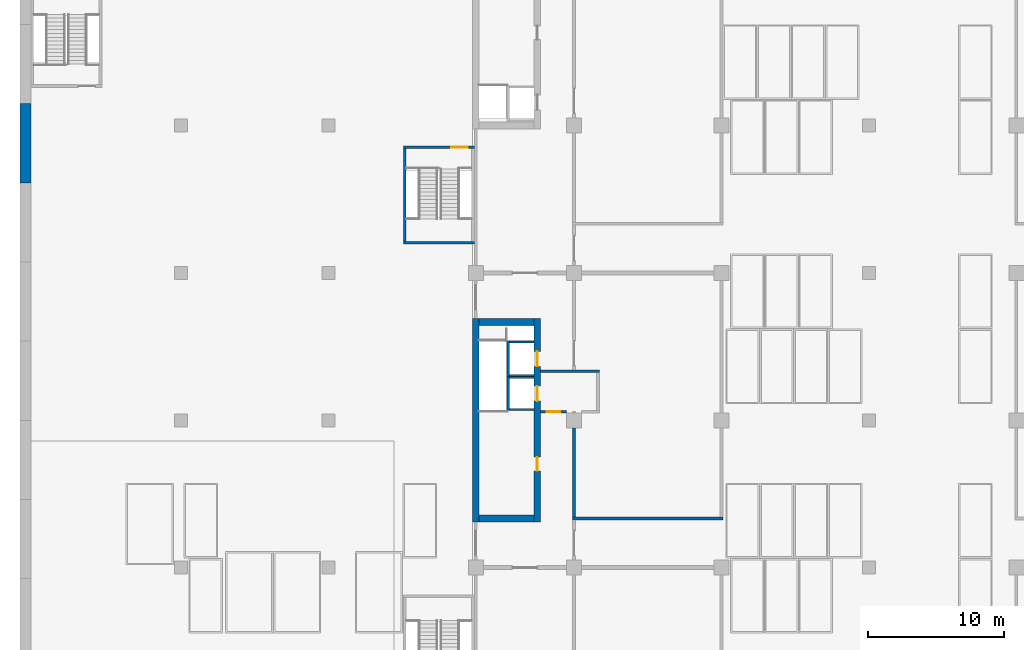
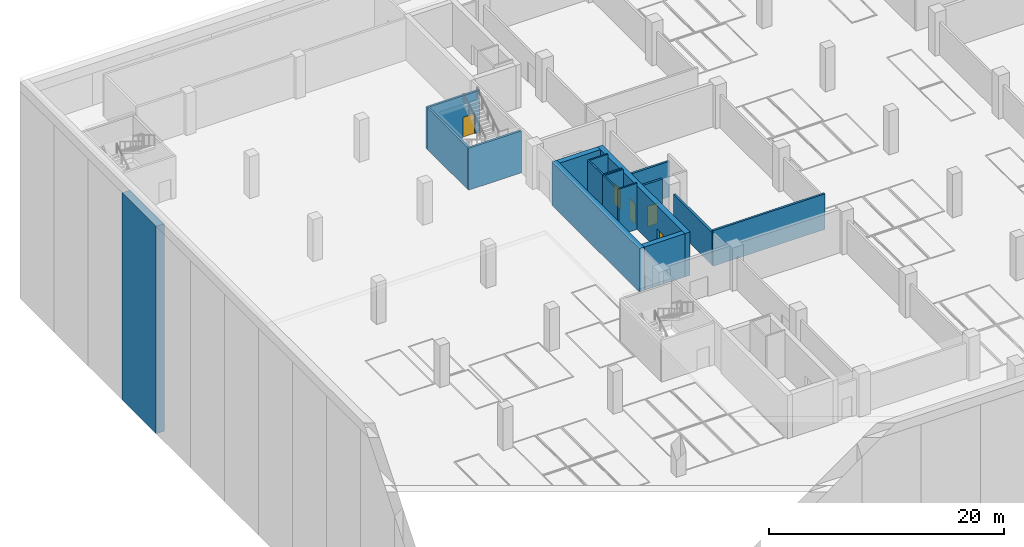
# One storey, part 3 of 18: 18 walls, 5 doors, 5 openings.
"""IFC4 building model written with IfcOpenShell, lengths in metres."""

from ifc_helpers import new_model, si_unit, direction, frame, frame_2d, origin, place, context, subcontext, project, spatial, rectangle, extrude, material, layer, layer_set, type_object, element, fill, save


model = new_model("IFC4")

# Units and contexts
model_context = context("Model", 3, precision=1e-05, world=origin(), true_north=direction((0.0, 1.0)))
body_context = subcontext(model_context, "Body", "Model", "MODEL_VIEW")
ifc_project = project(units=[si_unit("LENGTHUNIT", "METRE"), si_unit("AREAUNIT", "SQUARE_METRE"), si_unit("VOLUMEUNIT", "CUBIC_METRE"), si_unit("PLANEANGLEUNIT", "RADIAN"), si_unit("MASSUNIT", "GRAM", prefix="KILO")], contexts=[model_context])

# Site, building, storey
site_placement = place(None, origin())
site = spatial("IfcSite", under=ifc_project, at=site_placement, CompositionType="ELEMENT")
building_placement = place(site_placement, origin())
building = spatial("IfcBuilding", under=site, at=building_placement, Name="Basin Gate Institute", CompositionType="ELEMENT")
storey_placement = place(building_placement, frame((0.0, 0.0, -4.800048828125)))
storey = spatial("IfcBuildingStorey", under=building, at=storey_placement, Name="B1", CompositionType="ELEMENT", Elevation=-4.800048828125)

# Walls
ifc_material_1 = material(Name="Blockwork", Category="masonry")
ifc_layer_1 = layer(ifc_material_1, 0.199951171875)
ifc_layer_set_1 = layer_set([ifc_layer_1], Name="Basement fire partition EI 120")
wall_type_1 = type_object("IfcWallType", Name="Basement fire partition EI 120", PredefinedType="PARTITIONING", material=ifc_layer_set_1)
wall_1_placement = place(storey_placement, frame((68.300048828125, 60.300048828125, 0.0), z_axis=(0.0, 0.0, 1.0), x_axis=(1.0, 0.0, 0.0)))
element("IfcWall", 1, at=wall_1_placement, inside=storey, type_object=wall_type_1, material=ifc_layer_set_1, Name="Biobank fire-resisting wall", PredefinedType="PARTITIONING", context=body_context, shape_type="SweptSolid", body=[
    extrude(rectangle(XDim=11.0, YDim=0.199951171875, at=frame_2d((5.5, 0.0))), origin(), (0.0, 0.0, 1.0), 3.699951171875),
])
wall_2_placement = place(storey_placement, frame((68.39990234375, 60.39990234375, 0.0), z_axis=(0.0, 0.0, 1.0), x_axis=(0.0, 1.0, 0.0)))
element("IfcWall", 2, at=wall_2_placement, inside=storey, type_object=wall_type_1, material=ifc_layer_set_1, Name="Biobank fire-resisting wall", PredefinedType="PARTITIONING", context=body_context, shape_type="SweptSolid", body=[
    extrude(rectangle(XDim=6.550048828125, YDim=0.199951171875, at=frame_2d((3.27490234375, 0.0))), origin(), (0.0, 0.0, 1.0), 3.400146484375),
])

# Wall, opening, door
ifc_material_2 = material(Name="Blockwork", Category="masonry")
ifc_layer_2 = layer(ifc_material_2, 0.199951171875)
ifc_layer_set_2 = layer_set([ifc_layer_2], Name="Basement fire partition EI 60")
wall_type_2 = type_object("IfcWallType", Name="Basement fire partition EI 60", PredefinedType="PARTITIONING", material=ifc_layer_set_2)
wall_3_placement = place(storey_placement, frame((65.949951171875, 68.125, 0.0), z_axis=(0.0, 0.0, 1.0), x_axis=(1.0, 0.0, 0.0)))
wall_3 = element("IfcWall", 3, at=wall_3_placement, inside=storey, type_object=wall_type_2, material=ifc_layer_set_2, Name="Emergency Lift Lobby B1 LF1 fire-resisting wall", PredefinedType="PARTITIONING", context=body_context, shape_type="SweptSolid", body=[
    extrude(rectangle(XDim=1.900146484375, YDim=0.199951171875, at=frame_2d((0.9501953125, 0.0))), origin(), (0.0, 0.0, 1.0), 4.5),
])
opening_1_placement = place(wall_3_placement, frame((0.449951171875, 0.0, 0.0)))
opening_1 = element("IfcOpeningElement", 4, at=opening_1_placement, cuts=wall_3, Name="Opening DB125", PredefinedType="OPENING", context=body_context, shape_type="SweptSolid", body=[
    extrude(rectangle(XDim=1.0, YDim=2.10009765625, at=frame_2d((0.5, 1.050048828125))), frame((0.0, 0.10986328125, 0.0), z_axis=(0.0, -1.0, 0.0), x_axis=(1.0, 0.0, 0.0)), (0.0, 0.0, 1.0), 0.219970703125),
])
ifc_material_3 = material(Name="Steel door set", Category="steel")
door_type_1 = type_object("IfcDoorType", Name="Fire door FD60 1000x2100", OperationType="NOTDEFINED", PredefinedType="DOOR", material=ifc_material_3)
door_1_placement = place(opening_1_placement, frame((1.0, 0.0, 0.0), z_axis=(0.0, 0.0, 1.0), x_axis=(-1.0, 0.0, 0.0)))
door_1 = element("IfcDoor", 5, at=door_1_placement, inside=storey, type_object=door_type_1, material=ifc_material_3, Name="Door DB125 Emergency Lift Lobby B1 LF1", OperationType="SINGLE_SWING_RIGHT", OverallHeight=2.10009765625, OverallWidth=1.0, PredefinedType="DOOR", context=body_context, shape_type="SweptSolid", body=[
    extrude(rectangle(XDim=1.0, YDim=2.10009765625, at=frame_2d((0.5, 1.050048828125))), frame((0.0, 0.02490234375, 0.0), z_axis=(0.0, -1.0, 0.0), x_axis=(1.0, 0.0, 0.0)), (0.0, 0.0, 1.0), 0.050048828125),
])
fill(opening_1, door_1)

# Walls
wall_4_placement = place(storey_placement, frame((65.949951171875, 71.10009765625, 0.0), z_axis=(0.0, 0.0, 1.0), x_axis=(1.0, 0.0, 0.0)))
element("IfcWall", 6, at=wall_4_placement, inside=storey, type_object=wall_type_2, material=ifc_layer_set_2, Name="Emergency Lift Lobby B1 LF1 fire-resisting wall", PredefinedType="PARTITIONING", context=body_context, shape_type="SweptSolid", body=[
    extrude(rectangle(XDim=4.300048828125, YDim=0.199951171875, at=frame_2d((2.14990234375, 0.0))), origin(), (0.0, 0.0, 1.0), 3.699951171875),
])
ifc_material_4 = material(Name="Concrete 35 MPa", Category="concrete")
ifc_layer_3 = layer(ifc_material_4, 0.199951171875)
ifc_layer_set_3 = layer_set([ifc_layer_3], Name="Concrete 35 MPa")
wall_type_3 = type_object("IfcWallType", Name="Basement stair enclosure wall W67 REI 120", PredefinedType="SOLIDWALL", material=ifc_layer_set_3)
wall_5_placement = place(storey_placement, frame((55.89990234375, 80.5, 0.0), z_axis=(0.0, 0.0, 1.0), x_axis=(1.0, 0.0, 0.0)))
element("IfcWall", 7, at=wall_5_placement, inside=storey, type_object=wall_type_3, material=ifc_layer_set_3, Name="Stair Enclosure BS2 B1 enclosure wall", PredefinedType="SOLIDWALL", context=body_context, shape_type="SweptSolid", body=[
    extrude(rectangle(XDim=5.2001953125, YDim=0.199951171875, at=frame_2d((2.60009765625, 0.0))), origin(), (0.0, 0.0, 1.0), 4.35009765625),
])

# Wall, opening, door
wall_6_placement = place(storey_placement, frame((55.89990234375, 87.5, 0.0), z_axis=(0.0, 0.0, 1.0), x_axis=(1.0, 0.0, 0.0)))
wall_6 = element("IfcWall", 8, at=wall_6_placement, inside=storey, type_object=wall_type_3, material=ifc_layer_set_3, Name="Stair Enclosure BS2 B1 enclosure wall", PredefinedType="SOLIDWALL", context=body_context, shape_type="SweptSolid", body=[
    extrude(rectangle(XDim=5.2001953125, YDim=0.199951171875, at=frame_2d((2.60009765625, 0.0))), origin(), (0.0, 0.0, 1.0), 4.35009765625),
])
opening_2_placement = place(wall_6_placement, frame((3.5, 0.0, 0.0)))
opening_2 = element("IfcOpeningElement", 9, at=opening_2_placement, cuts=wall_6, Name="Opening DB132", PredefinedType="OPENING", context=body_context, shape_type="SweptSolid", body=[
    extrude(rectangle(XDim=1.199951171875, YDim=2.10009765625, at=frame_2d((0.60009765625, 1.050048828125))), frame((0.0, 0.10986328125, 0.0), z_axis=(0.0, -1.0, 0.0), x_axis=(1.0, 0.0, 0.0)), (0.0, 0.0, 1.0), 0.219970703125),
])
ifc_material_5 = material(Name="Steel door set", Category="steel")
door_type_2 = type_object("IfcDoorType", Name="Stair door FD120 1200x2100", OperationType="NOTDEFINED", PredefinedType="DOOR", material=ifc_material_5)
door_2_placement = place(opening_2_placement, origin())
door_2 = element("IfcDoor", 10, at=door_2_placement, inside=storey, type_object=door_type_2, material=ifc_material_5, Name="Door DB132 Stair Enclosure BS2 B1", OperationType="SINGLE_SWING_RIGHT", OverallHeight=2.10009765625, OverallWidth=1.199951171875, PredefinedType="DOOR", context=body_context, shape_type="SweptSolid", body=[
    extrude(rectangle(XDim=1.199951171875, YDim=2.10009765625, at=frame_2d((0.60009765625, 1.050048828125))), frame((0.0, 0.02490234375, 0.0), z_axis=(0.0, -1.0, 0.0), x_axis=(1.0, 0.0, 0.0)), (0.0, 0.0, 1.0), 0.050048828125),
])
fill(opening_2, door_2)

# Walls
wall_7_placement = place(storey_placement, frame((56.0, 80.60009765625, 0.0), z_axis=(0.0, 0.0, 1.0), x_axis=(0.0, 1.0, 0.0)))
element("IfcWall", 11, at=wall_7_placement, inside=storey, type_object=wall_type_3, material=ifc_layer_set_3, Name="Stair Enclosure BS2 B1 enclosure wall", PredefinedType="SOLIDWALL", context=body_context, shape_type="SweptSolid", body=[
    extrude(rectangle(XDim=6.7998046875, YDim=0.199951171875, at=frame_2d((3.39990234375, 0.0))), origin(), (0.0, 0.0, 1.0), 4.35009765625),
])
ifc_material_6 = material(Name="Concrete 40 MPa", Category="concrete")
ifc_layer_4 = layer(ifc_material_6, 0.800048828125)
ifc_layer_set_4 = layer_set([ifc_layer_4], Name="Concrete 40 MPa")
wall_type_4 = type_object("IfcWallType", Name="Wall DW1 R180", PredefinedType="SOLIDWALL", material=ifc_layer_set_4)
wall_8_placement = place(storey_placement, frame((28.199951171875, 84.89990234375, -18.199951171875), z_axis=(0.0, 0.0, 1.0), x_axis=(0.0, 1.0, 0.0)))
element("IfcWall", 12, at=wall_8_placement, inside=storey, type_object=wall_type_4, material=ifc_layer_set_4, Name="WALL/B1/BASE/W/11", PredefinedType="SOLIDWALL", context=body_context, shape_type="SweptSolid", body=[
    extrude(rectangle(XDim=5.800048828125, YDim=0.800048828125, at=frame_2d((2.89990234375, 0.0))), origin(), (0.0, 0.0, 1.0), 21.550048828125),
])
ifc_material_7 = material(Name="Concrete 40 MPa", Category="concrete")
ifc_layer_5 = layer(ifc_material_7, 0.14990234375)
ifc_layer_set_5 = layer_set([ifc_layer_5], Name="Concrete 40 MPa")
wall_type_5 = type_object("IfcWallType", Name="Wall LS1 lift shaft enclosure R180", PredefinedType="SOLIDWALL", material=ifc_layer_set_5)
wall_9_placement = place(storey_placement, frame((63.574951171875, 68.199951171875, 0.0), z_axis=(0.0, 0.0, 1.0), x_axis=(0.0, 1.0, 0.0)))
element("IfcWall", 13, at=wall_9_placement, inside=storey, type_object=wall_type_5, material=ifc_layer_set_5, Name="Lift shaft enclosure LF1 B1 UL", PredefinedType="SOLIDWALL", context=body_context, shape_type="SweptSolid", body=[
    extrude(rectangle(XDim=2.5, YDim=0.14990234375, at=frame_2d((1.25, 0.0))), origin(), (0.0, 0.0, 1.0), 4.800048828125),
])
for number, where, z_axis, x_axis, name in (
    (14, (63.64990234375, 68.27490234375, 0.0), (0.0, 0.0, 1.0), (1.0, 0.0, 0.0), "Lift shaft enclosure LF1 B1 RL"),
    (15, (63.64990234375, 70.625, 0.0), (0.0, 0.0, 1.0), (1.0, 0.0, 0.0), "Lift shaft enclosure LF1 B1 RH"),
):
    element("IfcWall", number, at=place(storey_placement, frame(where, z_axis=z_axis, x_axis=x_axis)), inside=storey, type_object=wall_type_5, material=ifc_layer_set_5, Name=name, PredefinedType="SOLIDWALL", context=body_context, shape_type="SweptSolid", body=[
        extrude(rectangle(XDim=1.800048828125, YDim=0.14990234375, at=frame_2d((0.89990234375, 0.0))), origin(), (0.0, 0.0, 1.0), 4.800048828125),
    ])
wall_10_placement = place(storey_placement, frame((63.574951171875, 70.699951171875, 0.0), z_axis=(0.0, 0.0, 1.0), x_axis=(0.0, 1.0, 0.0)))
element("IfcWall", 16, at=wall_10_placement, inside=storey, type_object=wall_type_5, material=ifc_layer_set_5, Name="Lift shaft enclosure LP2 B1 UL", PredefinedType="SOLIDWALL", context=body_context, shape_type="SweptSolid", body=[
    extrude(rectangle(XDim=2.60009765625, YDim=0.14990234375, at=frame_2d((1.300048828125, 0.0))), origin(), (0.0, 0.0, 1.0), 4.800048828125),
])
for number, where, z_axis, x_axis, name in (
    (17, (63.64990234375, 70.77490234375, 0.0), (0.0, 0.0, 1.0), (1.0, 0.0, 0.0), "Lift shaft enclosure LP2 B1 RL"),
    (18, (63.64990234375, 73.22509765625, 0.0), (0.0, 0.0, 1.0), (1.0, 0.0, 0.0), "Lift shaft enclosure LP2 B1 RH"),
):
    element("IfcWall", number, at=place(storey_placement, frame(where, z_axis=z_axis, x_axis=x_axis)), inside=storey, type_object=wall_type_5, material=ifc_layer_set_5, Name=name, PredefinedType="SOLIDWALL", context=body_context, shape_type="SweptSolid", body=[
        extrude(rectangle(XDim=1.800048828125, YDim=0.14990234375, at=frame_2d((0.89990234375, 0.0))), origin(), (0.0, 0.0, 1.0), 4.800048828125),
    ])
ifc_material_8 = material(Name="Concrete 60 MPa", Category="concrete")
ifc_layer_6 = layer(ifc_material_8, 0.5)
ifc_layer_set_6 = layer_set([ifc_layer_6], Name="Concrete 60 MPa")
wall_type_6 = type_object("IfcWallType", Name="Wall SW1 R180", PredefinedType="SHEAR", material=ifc_layer_set_6)
wall_11_placement = place(storey_placement, frame((61.199951171875, 60.050048828125, 0.0), z_axis=(0.0, 0.0, 1.0), x_axis=(0.0, 1.0, 0.0)))
element("IfcWall", 19, at=wall_11_placement, inside=storey, type_object=wall_type_6, material=ifc_layer_set_6, Name="WALL/B1/WM/L", PredefinedType="SHEAR", context=body_context, shape_type="SweptSolid", body=[
    extrude(rectangle(XDim=14.89990234375, YDim=0.5, at=frame_2d((7.449951171875, 0.0))), origin(), (0.0, 0.0, 1.0), 4.5),
])

# Wall, openings, doors
wall_12_placement = place(storey_placement, frame((65.699951171875, 60.050048828125, 0.0), z_axis=(0.0, 0.0, 1.0), x_axis=(0.0, 1.0, 0.0)))
wall_12 = element("IfcWall", 20, at=wall_12_placement, inside=storey, type_object=wall_type_6, material=ifc_layer_set_6, Name="WALL/B1/WM/C", PredefinedType="SHEAR", context=body_context, shape_type="SweptSolid", body=[
    extrude(rectangle(XDim=14.89990234375, YDim=0.5, at=frame_2d((7.449951171875, 0.0))), origin(), (0.0, 0.0, 1.0), 4.5),
])
opening_3_placement = place(wall_12_placement, frame((8.85009765625, 0.0, 0.0)))
opening_3 = element("IfcOpeningElement", 21, at=opening_3_placement, cuts=wall_12, Name="Opening LD019", PredefinedType="OPENING", context=body_context, shape_type="SweptSolid", body=[
    extrude(rectangle(XDim=1.10009765625, YDim=2.10009765625, at=frame_2d((0.550048828125, 1.050048828125))), frame((0.0, 0.260009765625, 0.0), z_axis=(0.0, -1.0, 0.0), x_axis=(1.0, 0.0, 0.0)), (0.0, 0.0, 1.0), 0.52001953125),
])
opening_4_placement = place(wall_12_placement, frame((11.39990234375, 0.0, 0.0)))
opening_4 = element("IfcOpeningElement", 22, at=opening_4_placement, cuts=wall_12, Name="Opening LD037", PredefinedType="OPENING", context=body_context, shape_type="SweptSolid", body=[
    extrude(rectangle(XDim=1.10009765625, YDim=2.10009765625, at=frame_2d((0.550048828125, 1.050048828125))), frame((0.0, 0.260009765625, 0.0), z_axis=(0.0, -1.0, 0.0), x_axis=(1.0, 0.0, 0.0)), (0.0, 0.0, 1.0), 0.52001953125),
])
opening_5_placement = place(wall_12_placement, frame((3.75, 0.0, 0.0)))
opening_5 = element("IfcOpeningElement", 23, at=opening_5_placement, cuts=wall_12, Name="Opening DB124", PredefinedType="OPENING", context=body_context, shape_type="SweptSolid", body=[
    extrude(rectangle(XDim=1.0, YDim=2.10009765625, at=frame_2d((0.5, 1.050048828125))), frame((0.0, 0.260009765625, 0.0), z_axis=(0.0, -1.0, 0.0), x_axis=(1.0, 0.0, 0.0)), (0.0, 0.0, 1.0), 0.52001953125),
])
ifc_material_9 = material(Name="Stainless steel", Category="steel")
door_type_3 = type_object("IfcDoorType", Name="FD60 Lift landing door LD", OperationType="SLIDING_TO_LEFT", PredefinedType="DOOR", material=ifc_material_9)
door_3_placement = place(opening_3_placement, origin())
door_3 = element("IfcDoor", 24, at=door_3_placement, inside=storey, type_object=door_type_3, material=ifc_material_9, Name="Lift landing door LF1 B1", OperationType="SLIDING_TO_LEFT", OverallHeight=2.10009765625, OverallWidth=1.10009765625, PredefinedType="DOOR", context=body_context, shape_type="SweptSolid", body=[
    extrude(rectangle(XDim=1.10009765625, YDim=2.10009765625, at=frame_2d((0.550048828125, 1.050048828125))), frame((0.0, 0.02490234375, 0.0), z_axis=(0.0, -1.0, 0.0), x_axis=(1.0, 0.0, 0.0)), (0.0, 0.0, 1.0), 0.050048828125),
])
fill(opening_3, door_3)
door_4_placement = place(opening_4_placement, origin())
door_4 = element("IfcDoor", 25, at=door_4_placement, inside=storey, type_object=door_type_3, material=ifc_material_9, Name="Lift landing door LP2 B1", OperationType="SLIDING_TO_LEFT", OverallHeight=2.10009765625, OverallWidth=1.10009765625, PredefinedType="DOOR", context=body_context, shape_type="SweptSolid", body=[
    extrude(rectangle(XDim=1.10009765625, YDim=2.10009765625, at=frame_2d((0.550048828125, 1.050048828125))), frame((0.0, 0.02490234375, 0.0), z_axis=(0.0, -1.0, 0.0), x_axis=(1.0, 0.0, 0.0)), (0.0, 0.0, 1.0), 0.050048828125),
])
fill(opening_4, door_4)
door_5_placement = place(opening_5_placement, origin())
door_5 = element("IfcDoor", 26, at=door_5_placement, inside=storey, type_object=door_type_1, material=ifc_material_3, Name="Door DB124 Mechanical Riser Room B1 WM", OperationType="SINGLE_SWING_LEFT", OverallHeight=2.10009765625, OverallWidth=1.0, PredefinedType="DOOR", context=body_context, shape_type="SweptSolid", body=[
    extrude(rectangle(XDim=1.0, YDim=2.10009765625, at=frame_2d((0.5, 1.050048828125))), frame((0.0, 0.02490234375, 0.0), z_axis=(0.0, -1.0, 0.0), x_axis=(1.0, 0.0, 0.0)), (0.0, 0.0, 1.0), 0.050048828125),
])
fill(opening_5, door_5)

# Walls
for number, where, z_axis, x_axis, name in (
    (27, (61.449951171875, 60.300048828125, 0.0), (0.0, 0.0, 1.0), (1.0, 0.0, 0.0), "WALL/B1/WM/S"),
    (28, (61.449951171875, 74.699951171875, 0.0), (0.0, 0.0, 1.0), (1.0, 0.0, 0.0), "WALL/B1/WM/N"),
):
    element("IfcWall", number, at=place(storey_placement, frame(where, z_axis=z_axis, x_axis=x_axis)), inside=storey, type_object=wall_type_6, material=ifc_layer_set_6, Name=name, PredefinedType="SHEAR", context=body_context, shape_type="SweptSolid", body=[
        extrude(rectangle(XDim=4.0, YDim=0.5, at=frame_2d((2.0, 0.0))), origin(), (0.0, 0.0, 1.0), 4.5),
    ])

save(model, "model.ifc")
